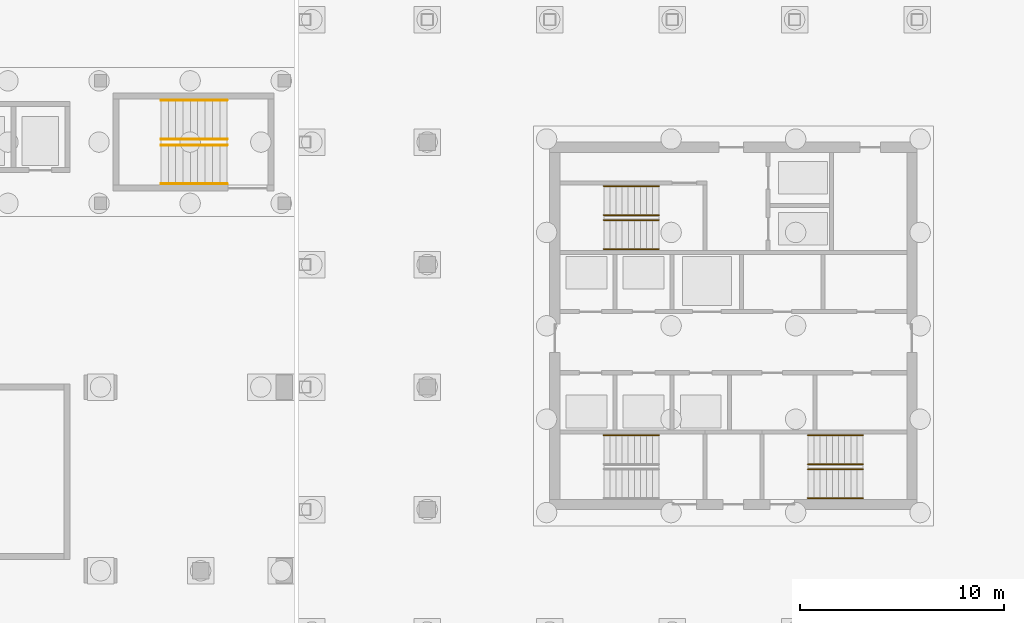
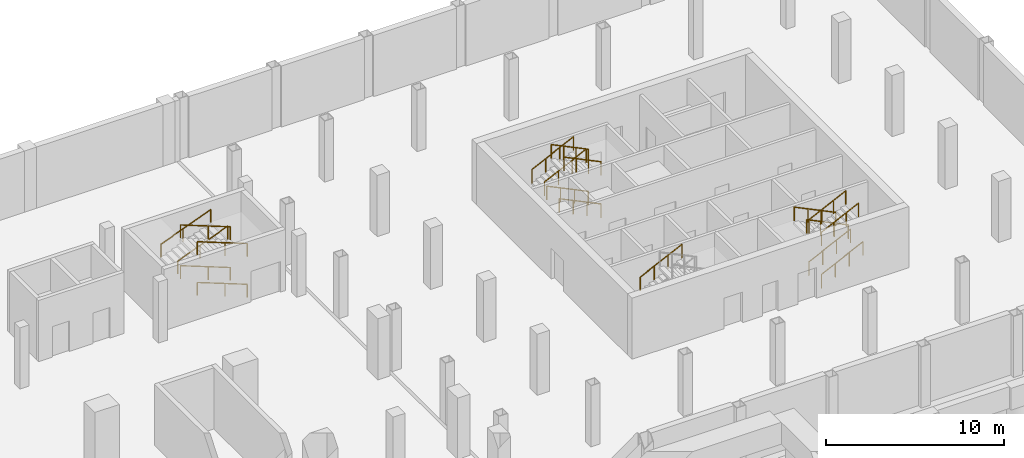
# One storey, part 28 of 29: 19 railings.
"""IFC4 building model written with IfcOpenShell, lengths in metres."""

from ifc_helpers import new_model, si_unit, direction, frame, origin, origin_2d, place, context, subcontext, project, spatial, circle, extrude, material, type_object, element, save


model = new_model("IFC4")

# Units and contexts
model_context = context("Model", 3, precision=1e-05, world=origin(), true_north=direction((0.0, 1.0)))
body_context = subcontext(model_context, "Body", "Model", "MODEL_VIEW")
ifc_project = project(units=[si_unit("LENGTHUNIT", "METRE"), si_unit("AREAUNIT", "SQUARE_METRE"), si_unit("VOLUMEUNIT", "CUBIC_METRE"), si_unit("PLANEANGLEUNIT", "RADIAN"), si_unit("MASSUNIT", "GRAM", prefix="KILO")], contexts=[model_context])

# Site, building, storey
site_placement = place(None, origin())
site = spatial("IfcSite", under=ifc_project, at=site_placement, CompositionType="ELEMENT")
building_placement = place(site_placement, origin())
building = spatial("IfcBuilding", under=site, at=building_placement, Name="Aravalli Gate Trade Fair Centre", CompositionType="ELEMENT")
storey_placement = place(building_placement, frame((0.0, 0.0, -8.39990234375)))
storey = spatial("IfcBuildingStorey", under=building, at=storey_placement, Name="B2", CompositionType="ELEMENT", Elevation=-8.39990234375)

# Railings
ifc_material = material(Name="Steel E350", Category="steel")
railing_type_1 = type_object("IfcRailingType", Name="Concourse stair handrail 900", PredefinedType="HANDRAIL", material=ifc_material)
for number, where, name in (
    (1, (156.199951171875, 118.949951171875, 0.139892578125), "Handrail ES B2 flight 1o"),
    (2, (156.199951171875, 120.85009765625, 0.139892578125), "Handrail ES B2 flight 1i"),
):
    element("IfcRailing", number, at=place(storey_placement, frame(where)), inside=storey, type_object=railing_type_1, Name=name, PredefinedType="HANDRAIL", context=body_context, shape_type="SweptSolid", body=[
        extrude(circle(Radius=0.02392578125, at=origin_2d()), frame((0.0, 0.0, 0.8759765625), z_axis=(-0.931986877569, 0.0, 0.362492013758), x_axis=(0.0, -1.0, 0.0)), (0.0, 0.0, 1.0), 1.544921875),
        extrude(circle(Radius=0.02392578125, at=origin_2d()), frame((-1.43994140625, 0.0, 1.43603515625), z_axis=(-0.932016532514, 0.0, 0.362415760032), x_axis=(0.0, -1.0, 0.0)), (0.0, 0.0, 1.0), 1.931396484375),
        extrude(circle(Radius=0.02099609375, at=origin_2d()), origin(), (0.0, 0.0, 1.0), 0.851806640625),
        extrude(circle(Radius=0.02099609375, at=origin_2d()), frame((-1.43994140625, 0.0, 0.56005859375)), (0.0, 0.0, 1.0), 0.851806640625),
        extrude(circle(Radius=0.02099609375, at=origin_2d()), frame((-3.239990234375, 0.0, 1.260009765625)), (0.0, 0.0, 1.0), 0.851806640625),
    ])
for number, where, name in (
    (3, (152.9599609375, 123.050048828125, 1.539794921875), "Handrail ES B2 flight 2o"),
    (4, (152.9599609375, 121.14990234375, 1.539794921875), "Handrail ES B2 flight 2i"),
):
    element("IfcRailing", number, at=place(storey_placement, frame(where)), inside=storey, type_object=railing_type_1, Name=name, PredefinedType="HANDRAIL", context=body_context, shape_type="SweptSolid", body=[
        extrude(circle(Radius=0.02392578125, at=origin_2d()), frame((0.0, 0.0, 0.8759765625), z_axis=(0.931986877569, 0.0, 0.362492013758), x_axis=(0.0, 1.0, 0.0)), (0.0, 0.0, 1.0), 1.544921875),
        extrude(circle(Radius=0.02392578125, at=origin_2d()), frame((1.43994140625, 0.0, 1.43603515625), z_axis=(0.932016532514, 0.0, 0.362415760032), x_axis=(0.0, 1.0, 0.0)), (0.0, 0.0, 1.0), 1.931396484375),
        extrude(circle(Radius=0.02099609375, at=origin_2d()), origin(), (0.0, 0.0, 1.0), 0.851806640625),
        extrude(circle(Radius=0.02099609375, at=origin_2d()), frame((1.43994140625, 0.0, 0.56005859375)), (0.0, 0.0, 1.0), 0.851806640625),
        extrude(circle(Radius=0.02099609375, at=origin_2d()), frame((3.239990234375, 0.0, 1.260009765625)), (0.0, 0.0, 1.0), 0.851806640625),
    ])
for number, where, name in (
    (5, (156.199951171875, 118.949951171875, 2.93994140625), "Handrail ES B2 flight 3o"),
    (6, (156.199951171875, 120.85009765625, 2.93994140625), "Handrail ES B2 flight 3i"),
):
    element("IfcRailing", number, at=place(storey_placement, frame(where)), inside=storey, type_object=railing_type_1, Name=name, PredefinedType="HANDRAIL", context=body_context, shape_type="SweptSolid", body=[
        extrude(circle(Radius=0.02392578125, at=origin_2d()), frame((0.0, 0.0, 0.8759765625), z_axis=(-0.931986877569, 0.0, 0.362492013758), x_axis=(0.0, -1.0, 0.0)), (0.0, 0.0, 1.0), 1.544921875),
        extrude(circle(Radius=0.02392578125, at=origin_2d()), frame((-1.43994140625, 0.0, 1.43603515625), z_axis=(-0.932016532514, 0.0, 0.362415760032), x_axis=(0.0, -1.0, 0.0)), (0.0, 0.0, 1.0), 1.931396484375),
        extrude(circle(Radius=0.02099609375, at=origin_2d()), origin(), (0.0, 0.0, 1.0), 0.851806640625),
        extrude(circle(Radius=0.02099609375, at=origin_2d()), frame((-1.43994140625, 0.0, 0.56005859375)), (0.0, 0.0, 1.0), 0.851806640625),
        extrude(circle(Radius=0.02099609375, at=origin_2d()), frame((-3.239990234375, 0.0, 1.260009765625)), (0.0, 0.0, 1.0), 0.851806640625),
    ])
railing_type_2 = type_object("IfcRailingType", Name="Wing stair handrail", PredefinedType="HANDRAIL", material=ifc_material)
for number, where, name in (
    (7, (174.64990234375, 106.639892578125, 1.593017578125), "Handrail S2 B2 2b"),
    (8, (184.64990234375, 103.56005859375, 0.144775390625), "Handrail S1 B2 1a"),
    (9, (184.64990234375, 104.97998046875, 0.144775390625), "Handrail S1 B2 1b"),
):
    element("IfcRailing", number, at=place(storey_placement, frame(where)), inside=storey, type_object=railing_type_2, Name=name, PredefinedType="HANDRAIL", context=body_context, shape_type="SweptSolid", body=[
        extrude(circle(Radius=0.02392578125, at=origin_2d()), frame((0.0, 0.0, 0.92578125), z_axis=(0.900561529634, 0.0, 0.434728572036), x_axis=(0.0, 1.0, 0.0)), (0.0, 0.0, 1.0), 2.998291015625),
        extrude(circle(Radius=0.02099609375, at=origin_2d()), origin(), (0.0, 0.0, 1.0), 0.90185546875),
        extrude(circle(Radius=0.02099609375, at=origin_2d()), frame((0.900146484375, 0.0, 0.4345703125)), (0.0, 0.0, 1.0), 0.90185546875),
        extrude(circle(Radius=0.02099609375, at=origin_2d()), frame((1.800048828125, 0.0, 0.868896484375)), (0.0, 0.0, 1.0), 0.90185546875),
        extrude(circle(Radius=0.02099609375, at=origin_2d()), frame((2.7001953125, 0.0, 1.303466796875)), (0.0, 0.0, 1.0), 0.90185546875),
    ])
for number, where, name in (
    (10, (187.35009765625, 105.219970703125, 1.593017578125), "Handrail S1 B2 2a"),
    (11, (187.35009765625, 106.639892578125, 1.593017578125), "Handrail S1 B2 2b"),
):
    element("IfcRailing", number, at=place(storey_placement, frame(where)), inside=storey, type_object=railing_type_2, Name=name, PredefinedType="HANDRAIL", context=body_context, shape_type="SweptSolid", body=[
        extrude(circle(Radius=0.02392578125, at=origin_2d()), frame((0.0, 0.0, 0.92578125), z_axis=(-0.900561529634, 0.0, 0.434728572036), x_axis=(0.0, -1.0, 0.0)), (0.0, 0.0, 1.0), 2.998291015625),
        extrude(circle(Radius=0.02099609375, at=origin_2d()), origin(), (0.0, 0.0, 1.0), 0.90185546875),
        extrude(circle(Radius=0.02099609375, at=origin_2d()), frame((-0.900146484375, 0.0, 0.4345703125)), (0.0, 0.0, 1.0), 0.90185546875),
        extrude(circle(Radius=0.02099609375, at=origin_2d()), frame((-1.800048828125, 0.0, 0.868896484375)), (0.0, 0.0, 1.0), 0.90185546875),
        extrude(circle(Radius=0.02099609375, at=origin_2d()), frame((-2.7001953125, 0.0, 1.303466796875)), (0.0, 0.0, 1.0), 0.90185546875),
    ])
for number, where, name in (
    (12, (184.64990234375, 103.56005859375, 3.041259765625), "Handrail S1 B2 3a"),
    (13, (184.64990234375, 104.97998046875, 3.041259765625), "Handrail S1 B2 3b"),
):
    element("IfcRailing", number, at=place(storey_placement, frame(where)), inside=storey, type_object=railing_type_2, Name=name, PredefinedType="HANDRAIL", context=body_context, shape_type="SweptSolid", body=[
        extrude(circle(Radius=0.02392578125, at=origin_2d()), frame((0.0, 0.0, 0.92578125), z_axis=(0.900551636365, 0.0, 0.434749065831), x_axis=(0.0, 1.0, 0.0)), (0.0, 0.0, 1.0), 2.665283203125),
        extrude(circle(Radius=0.02099609375, at=origin_2d()), origin(), (0.0, 0.0, 1.0), 0.90185546875),
        extrude(circle(Radius=0.02099609375, at=origin_2d()), frame((0.800048828125, 0.0, 0.38623046875)), (0.0, 0.0, 1.0), 0.90185546875),
        extrude(circle(Radius=0.02099609375, at=origin_2d()), frame((1.60009765625, 0.0, 0.7724609375)), (0.0, 0.0, 1.0), 0.90185546875),
        extrude(circle(Radius=0.02099609375, at=origin_2d()), frame((2.400146484375, 0.0, 1.15869140625)), (0.0, 0.0, 1.0), 0.90185546875),
    ])
for number, where, name in (
    (14, (177.35009765625, 115.760009765625, 0.144775390625), "Handrail FFS B2 1a"),
    (15, (177.35009765625, 117.179931640625, 0.144775390625), "Handrail FFS B2 1b"),
):
    element("IfcRailing", number, at=place(storey_placement, frame(where)), inside=storey, type_object=railing_type_2, Name=name, PredefinedType="HANDRAIL", context=body_context, shape_type="SweptSolid", body=[
        extrude(circle(Radius=0.02392578125, at=origin_2d()), frame((0.0, 0.0, 0.92578125), z_axis=(-0.900561529634, 0.0, 0.434728572036), x_axis=(0.0, -1.0, 0.0)), (0.0, 0.0, 1.0), 2.998291015625),
        extrude(circle(Radius=0.02099609375, at=origin_2d()), origin(), (0.0, 0.0, 1.0), 0.90185546875),
        extrude(circle(Radius=0.02099609375, at=origin_2d()), frame((-0.900146484375, 0.0, 0.4345703125)), (0.0, 0.0, 1.0), 0.90185546875),
        extrude(circle(Radius=0.02099609375, at=origin_2d()), frame((-1.800048828125, 0.0, 0.868896484375)), (0.0, 0.0, 1.0), 0.90185546875),
        extrude(circle(Radius=0.02099609375, at=origin_2d()), frame((-2.7001953125, 0.0, 1.303466796875)), (0.0, 0.0, 1.0), 0.90185546875),
    ])
for number, where, name in (
    (16, (174.64990234375, 117.419921875, 1.593017578125), "Handrail FFS B2 2a"),
    (17, (174.64990234375, 118.840087890625, 1.593017578125), "Handrail FFS B2 2b"),
):
    element("IfcRailing", number, at=place(storey_placement, frame(where)), inside=storey, type_object=railing_type_2, Name=name, PredefinedType="HANDRAIL", context=body_context, shape_type="SweptSolid", body=[
        extrude(circle(Radius=0.02392578125, at=origin_2d()), frame((0.0, 0.0, 0.92578125), z_axis=(0.900561529634, 0.0, 0.434728572036), x_axis=(0.0, 1.0, 0.0)), (0.0, 0.0, 1.0), 2.998291015625),
        extrude(circle(Radius=0.02099609375, at=origin_2d()), origin(), (0.0, 0.0, 1.0), 0.90185546875),
        extrude(circle(Radius=0.02099609375, at=origin_2d()), frame((0.900146484375, 0.0, 0.4345703125)), (0.0, 0.0, 1.0), 0.90185546875),
        extrude(circle(Radius=0.02099609375, at=origin_2d()), frame((1.800048828125, 0.0, 0.868896484375)), (0.0, 0.0, 1.0), 0.90185546875),
        extrude(circle(Radius=0.02099609375, at=origin_2d()), frame((2.7001953125, 0.0, 1.303466796875)), (0.0, 0.0, 1.0), 0.90185546875),
    ])
for number, where, name in (
    (18, (177.35009765625, 115.760009765625, 3.041259765625), "Handrail FFS B2 3a"),
    (19, (177.35009765625, 117.179931640625, 3.041259765625), "Handrail FFS B2 3b"),
):
    element("IfcRailing", number, at=place(storey_placement, frame(where)), inside=storey, type_object=railing_type_2, Name=name, PredefinedType="HANDRAIL", context=body_context, shape_type="SweptSolid", body=[
        extrude(circle(Radius=0.02392578125, at=origin_2d()), frame((0.0, 0.0, 0.92578125), z_axis=(-0.900551636365, 0.0, 0.434749065831), x_axis=(0.0, -1.0, 0.0)), (0.0, 0.0, 1.0), 2.665283203125),
        extrude(circle(Radius=0.02099609375, at=origin_2d()), origin(), (0.0, 0.0, 1.0), 0.90185546875),
        extrude(circle(Radius=0.02099609375, at=origin_2d()), frame((-0.800048828125, 0.0, 0.38623046875)), (0.0, 0.0, 1.0), 0.90185546875),
        extrude(circle(Radius=0.02099609375, at=origin_2d()), frame((-1.60009765625, 0.0, 0.7724609375)), (0.0, 0.0, 1.0), 0.90185546875),
        extrude(circle(Radius=0.02099609375, at=origin_2d()), frame((-2.400146484375, 0.0, 1.15869140625)), (0.0, 0.0, 1.0), 0.90185546875),
    ])

save(model, "model.ifc")
